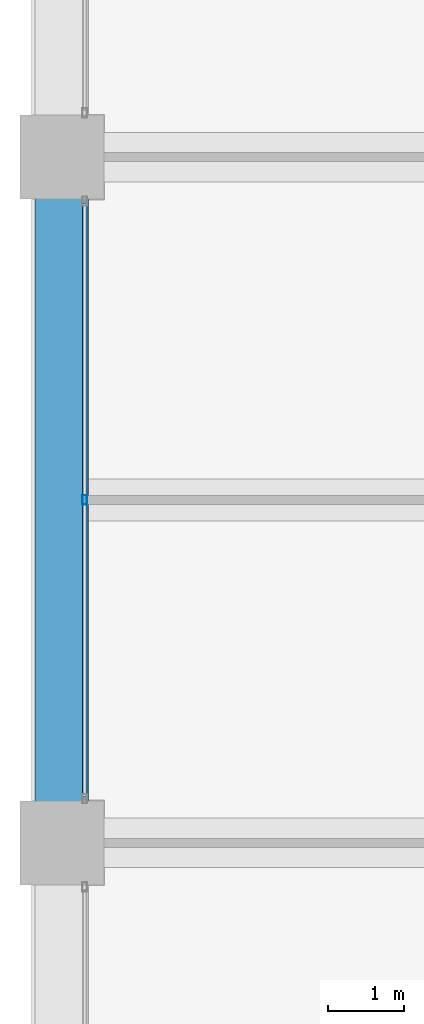
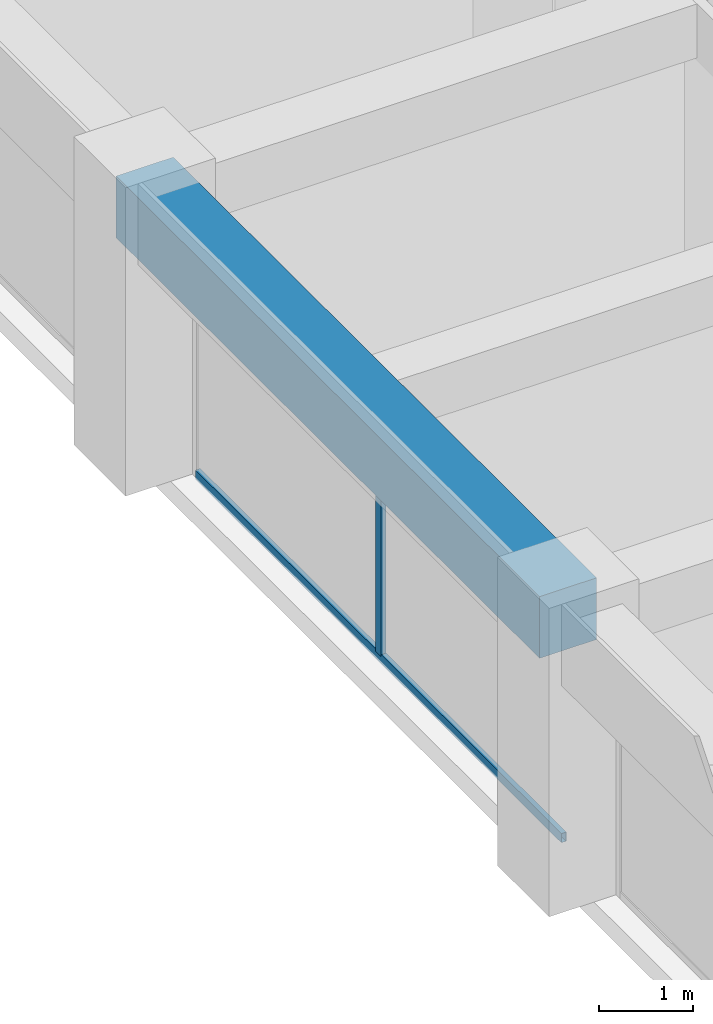
# One storey, part 14 of 44: 2 members, 1 beam, 1 element without a shape of its own.
"""IFC4 building model written with IfcOpenShell, lengths in metres."""

import ifcopenshell
import ifcopenshell.guid

model = None  # the IFC model being written
_history = None  # IfcOwnerHistory: only IFC2X3 demands one
_inside = {}  # id of a spatial element -> (the spatial element, [elements in it])
_under = {}  # id of a project, library or spatial element -> (it, [spatial elements below it])
_declared = {}  # id of a project -> (the project, [libraries it declares])
_typed = {}  # id of a type object -> (the type object, [elements of that type])
_made_of = {}  # id of a material, layer set ... -> (it, [elements and type objects made of it])


def new_model(schema):
    """Start an empty IFC model of exactly this schema.

    Asked for "IFC4X3", IfcOpenShell would pick the latest addendum, in which some entities
    have other attributes; the version numbers below select the first issue.
    IFC2X3 requires an IfcOwnerHistory on every rooted entity: one is made here for all.
    """
    global model, _history
    if schema == "IFC4X3":
        model = ifcopenshell.file(schema_version=(4, 3, 0, 0))
    else:
        model = ifcopenshell.file(schema=schema)
    _inside.clear()
    _under.clear()
    _declared.clear()
    _typed.clear()
    _made_of.clear()
    _history = None
    if model.schema == "IFC2X3":
        org = make("IfcOrganization", Name="unknown")
        user = make(
            "IfcPersonAndOrganization",
            ThePerson=make("IfcPerson", FamilyName="unknown"),
            TheOrganization=org,
        )
        app = make(
            "IfcApplication",
            ApplicationDeveloper=org,
            Version="unknown",
            ApplicationFullName="unknown",
            ApplicationIdentifier="unknown",
        )
        _history = make(
            "IfcOwnerHistory",
            OwningUser=user,
            OwningApplication=app,
            ChangeAction="ADDED",
            CreationDate=0,
        )
    return model


def make(cls, **values):
    """One entity of the class cls with the attributes given. An attribute that is None is left unset."""
    return model.create_entity(
        cls, **{name: value for name, value in values.items() if value is not None}
    )


def rooted(cls, **values):
    """An entity with a GlobalId (a new one), such as an element, a storey or a relation."""
    return make(cls, GlobalId=ifcopenshell.guid.new(), OwnerHistory=_history, **values)


def si_unit(unit_type, name, prefix=None):
    """IfcSIUnit, for example si_unit("LENGTHUNIT", "METRE", prefix="MILLI")."""
    return make("IfcSIUnit", UnitType=unit_type, Prefix=prefix, Name=name)


def assignment(units):
    """IfcUnitAssignment: the units of a project."""
    return None if units is None else make("IfcUnitAssignment", Units=units)


def point(xyz):
    """IfcCartesianPoint."""
    return None if xyz is None else make("IfcCartesianPoint", Coordinates=xyz)


def direction(xyz):
    """IfcDirection."""
    return None if xyz is None else make("IfcDirection", DirectionRatios=xyz)


def frame(location, z_axis=None, x_axis=None):
    """IfcAxis2Placement3D, a coordinate frame: its origin and axes. An axis left out is left unset."""
    return make(
        "IfcAxis2Placement3D",
        Location=point(location),
        Axis=direction(z_axis),
        RefDirection=direction(x_axis),
    )


def frame_2d(location, x_axis=None):
    """IfcAxis2Placement2D, a coordinate frame in the plane: its origin and x axis."""
    return make(
        "IfcAxis2Placement2D", Location=point(location), RefDirection=direction(x_axis)
    )


def origin():
    """The frame at (0, 0, 0) with its axes left unset."""
    return frame((0.0, 0.0, 0.0))


def origin_2d():
    """The frame at (0, 0) in the plane with its x axis left unset."""
    return frame_2d((0.0, 0.0))


def place(relative_to, where):
    """IfcLocalPlacement: puts the frame where relative to a parent placement (None: the world)."""
    return make(
        "IfcLocalPlacement", PlacementRelTo=relative_to, RelativePlacement=where
    )


def context(
    kind, dimensions, precision=None, world=None, true_north=None, identifier=None
):
    """IfcGeometricRepresentationContext, for example the 3D "Model" context."""
    return make(
        "IfcGeometricRepresentationContext",
        ContextIdentifier=identifier,
        ContextType=kind,
        CoordinateSpaceDimension=dimensions,
        Precision=precision,
        WorldCoordinateSystem=world,
        TrueNorth=true_north,
    )


def subcontext(parent, identifier, kind, view, scale=None):
    """IfcGeometricRepresentationSubContext, for example "Body" below "Model"."""
    return make(
        "IfcGeometricRepresentationSubContext",
        ContextIdentifier=identifier,
        ContextType=kind,
        ParentContext=parent,
        TargetScale=scale,
        TargetView=view,
    )


def project(units=None, contexts=None):
    """IfcProject with its units and contexts."""
    return rooted(
        "IfcProject",
        Name="project",
        RepresentationContexts=contexts,
        UnitsInContext=assignment(units),
    )


def spatial(cls, under=None, at=None, **own):
    """A site, building, storey or space (cls), placed at a placement, below another one or the project."""
    s = rooted(cls, ObjectPlacement=at, **own)
    if under is not None:
        _under.setdefault(under.id(), (under, []))[1].append(s)
    return s


def profile(cls, at=None, kind="AREA", **sizes):
    """A parametric profile (cls). Its sizes go by their IFC names, for example OverallWidth=200.0."""
    return make(cls, ProfileType=kind, Position=at, **sizes)


def rectangle(**sizes):
    """IfcRectangleProfileDef."""
    return profile("IfcRectangleProfileDef", **sizes)


def hollow_rectangle(**sizes):
    """IfcRectangleHollowProfileDef."""
    return profile("IfcRectangleHollowProfileDef", **sizes)


def extrude(swept, where, along, depth):
    """IfcExtrudedAreaSolid: the profile swept, set in the frame where, extruded along a direction by depth."""
    return make(
        "IfcExtrudedAreaSolid",
        SweptArea=swept,
        Position=where,
        ExtrudedDirection=direction(along),
        Depth=depth,
    )


def shape(context_of_items, identifier, shape_type, items):
    """IfcShapeRepresentation: the items that make up one representation, for example the "Body"."""
    return make(
        "IfcShapeRepresentation",
        ContextOfItems=context_of_items,
        RepresentationIdentifier=identifier,
        RepresentationType=shape_type,
        Items=items,
    )


def material(Name=None, Category=None):
    """IfcMaterial."""
    return make("IfcMaterial", Name=Name, Category=Category)


def material_profile(
    of_material, cross_section, Name=None, Category=None, Priority=None
):
    """IfcMaterialProfile: a cross section and its material."""
    return make(
        "IfcMaterialProfile",
        Name=Name,
        Material=of_material,
        Profile=cross_section,
        Priority=Priority,
        Category=Category,
    )


def profile_set(profiles, Name=None, composite=None):
    """IfcMaterialProfileSet."""
    return make(
        "IfcMaterialProfileSet",
        Name=Name,
        MaterialProfiles=profiles,
        CompositeProfile=composite,
    )


def made_of(thing, what):
    """Note that an element or type object is made of a material, layer set ...; save() writes the relation."""
    if what is not None:
        _made_of.setdefault(what.id(), (what, []))[1].append(thing)
    return thing


def type_object(cls, material=None, **own):
    """A type object (cls), such as IfcWallType, which elements share."""
    return made_of(rooted(cls, **own), material)


def element(
    cls,
    number,
    at=None,
    inside=None,
    cuts=None,
    type_object=None,
    material=None,
    context=None,
    identifier="Body",
    shape_type=None,
    held_by="IfcProductDefinitionShape",
    body=None,
    shapes=None,
    **own,
):
    """One element of the class cls, such as IfcWall. Its Tag is "e" and its number.

    at: its placement. inside: the storey or other place that contains it. cuts: it is an
    opening in that element (IfcRelVoidsElement). A single representation is given by context,
    identifier, shape_type and body (its items); several are given by shapes. held_by: the class
    of the entity that holds the representations. save() writes the other relations.
    """
    e = rooted(cls, Tag="e%d" % number, ObjectPlacement=at, **own)
    if body is not None:
        shapes = [shape(context, identifier, shape_type, body)]
    if shapes is not None:
        e.Representation = make(held_by, Representations=shapes)
    if inside is not None:
        _inside.setdefault(inside.id(), (inside, []))[1].append(e)
    if cuts is not None:
        rooted(
            "IfcRelVoidsElement", RelatingBuildingElement=cuts, RelatedOpeningElement=e
        )
    if type_object is not None:
        _typed.setdefault(type_object.id(), (type_object, []))[1].append(e)
    return made_of(e, material)


def aggregate(whole, parts):
    """IfcRelAggregates: a whole, such as a stair, and the parts it consists of."""
    return rooted("IfcRelAggregates", RelatingObject=whole, RelatedObjects=parts)


def save(model, path):
    """Write the relations noted so far, then the file.

    IfcRelAggregates (storeys below a building ...), IfcRelContainedInSpatialStructure (elements
    in a storey), IfcRelDefinesByType, IfcRelAssociatesMaterial and IfcRelDeclares: one each for
    every whole, place, type object, material and project.
    """
    for whole, parts in _under.values():
        aggregate(whole, parts)
    for where, things in _inside.values():
        rooted(
            "IfcRelContainedInSpatialStructure",
            RelatedElements=things,
            RelatingStructure=where,
        )
    for kind, things in _typed.values():
        rooted("IfcRelDefinesByType", RelatedObjects=things, RelatingType=kind)
    for what, things in _made_of.values():
        rooted("IfcRelAssociatesMaterial", RelatedObjects=things, RelatingMaterial=what)
    for by, libraries in _declared.values():
        rooted("IfcRelDeclares", RelatingContext=by, RelatedDefinitions=libraries)
    model.write(path)


model = new_model("IFC4")

# Units and contexts
model_context = context("Model", 3, precision=1e-05, world=origin(), true_north=direction((0.0, 1.0)))
body_context = subcontext(model_context, "Body", "Model", "MODEL_VIEW")
ifc_project = project(units=[si_unit("LENGTHUNIT", "METRE"), si_unit("AREAUNIT", "SQUARE_METRE"), si_unit("VOLUMEUNIT", "CUBIC_METRE"), si_unit("PLANEANGLEUNIT", "RADIAN"), si_unit("MASSUNIT", "GRAM", prefix="KILO")], contexts=[model_context])

# Site, building, storey
site_placement = place(None, origin())
site = spatial("IfcSite", under=ifc_project, at=site_placement, CompositionType="ELEMENT")
building_placement = place(site_placement, origin())
building = spatial("IfcBuilding", under=site, at=building_placement, Name="Zorevar Civic Tower", CompositionType="ELEMENT")
storey_placement = place(building_placement, frame((0.0, 0.0, 259.39990234375)))
storey = spatial("IfcBuildingStorey", under=building, at=storey_placement, Name="L63", CompositionType="ELEMENT", Elevation=259.39990234375)

# Curtain wall, members
ifc_material_1 = material(Name="Dark grey solar-control glass in black aluminium frame", Category="aluminium")
curtain_wall_type = type_object("IfcCurtainWallType", Name="Curtain wall CW5 top zone", PredefinedType="NOTDEFINED", material=ifc_material_1)
curtain_wall_placement = place(storey_placement, origin())
curtain_wall = element("IfcCurtainWall", 1, at=curtain_wall_placement, inside=storey, type_object=curtain_wall_type, Name="CW5 L63", PredefinedType="NOTDEFINED")
ifc_material_2 = material(Name="Aluminium, black anodised", Category="aluminium")
ifc_material_profile_1 = material_profile(ifc_material_2, hollow_rectangle(XDim=0.06005859375, YDim=0.1201171875, WallThickness=0.0029296875, at=origin_2d()), Name="AL 120x60x3")
ifc_profile_set_1 = profile_set([ifc_material_profile_1], Name="Aluminium, black anodised")
member_type_1 = type_object("IfcMemberType", Name="CW5 mullion AL 120x60x3", PredefinedType="MULLION", material=ifc_profile_set_1)
member_1_placement = place(storey_placement, frame((9.300048828125, 22.5, 0.06005859375), z_axis=(0.0, 0.0, 1.0), x_axis=(-1.0, 0.0, 0.0)))
member_1 = element("IfcMember", 2, at=member_1_placement, type_object=member_type_1, Name="CW5 mullion 2", PredefinedType="MULLION", context=body_context, shape_type="SweptSolid", body=[
    extrude(hollow_rectangle(XDim=0.06005859375, YDim=0.1201171875, WallThickness=0.0029296875, at=origin_2d()), origin(), (0.0, 0.0, 1.0), 2.89013671875),
])
ifc_material_3 = material(Name="Aluminium, black anodised", Category="aluminium")
ifc_material_profile_2 = material_profile(ifc_material_3, hollow_rectangle(XDim=0.06005859375, YDim=0.1201171875, WallThickness=0.0029296875, at=origin_2d()), Name="AL 120x60x3")
ifc_profile_set_2 = profile_set([ifc_material_profile_2], Name="Aluminium, black anodised")
member_type_2 = type_object("IfcMemberType", Name="CW5 transom AL 120x60x3", PredefinedType="USERDEFINED", material=ifc_profile_set_2)
member_2_placement = place(storey_placement, frame((9.300048828125, 18.610107421875, 0.030029296875), z_axis=(0.0, 1.0, 0.0), x_axis=(-1.0, 0.0, 0.0)))
member_2 = element("IfcMember", 3, at=member_2_placement, type_object=member_type_2, Name="CW5 sill transom", ObjectType="TRANSOM", PredefinedType="USERDEFINED", context=body_context, shape_type="SweptSolid", body=[
    extrude(hollow_rectangle(XDim=0.06005859375, YDim=0.1201171875, WallThickness=0.0029296875, at=origin_2d()), origin(), (0.0, 0.0, 1.0), 7.77978515625),
])
aggregate(curtain_wall, [member_1, member_2])

# Beam
ifc_material_4 = material(Name="Concrete C50/60", Category="concrete")
ifc_material_profile_3 = material_profile(ifc_material_4, rectangle(XDim=0.699951171875, YDim=0.800048828125, at=origin_2d()), Name="RC 700x800")
ifc_profile_set_3 = profile_set([ifc_material_profile_3], Name="Concrete C50/60")
beam_type = type_object("IfcBeamType", Name="Edge beam RC 700x800", PredefinedType="SPANDREL", material=ifc_profile_set_3)
beam_placement = place(storey_placement, frame((9.0, 18.0, 3.35009765625), z_axis=(0.0, 1.0, 0.0), x_axis=(-1.0, 0.0, 0.0)))
element("IfcBeam", 4, at=beam_placement, inside=storey, type_object=beam_type, Name="Edge beam L64", PredefinedType="SPANDREL", context=body_context, shape_type="SweptSolid", body=[
    extrude(rectangle(XDim=0.699951171875, YDim=0.800048828125, at=origin_2d()), origin(), (0.0, 0.0, 1.0), 9.0),
])

save(model, "model.ifc")
